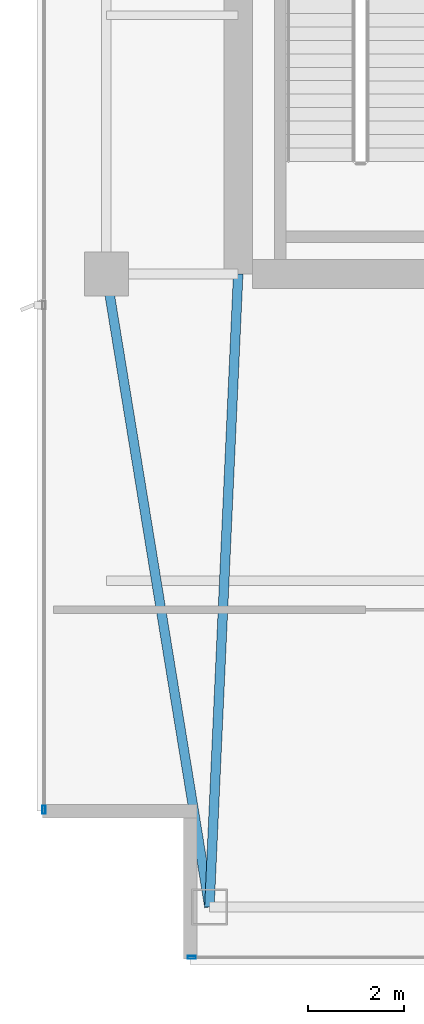
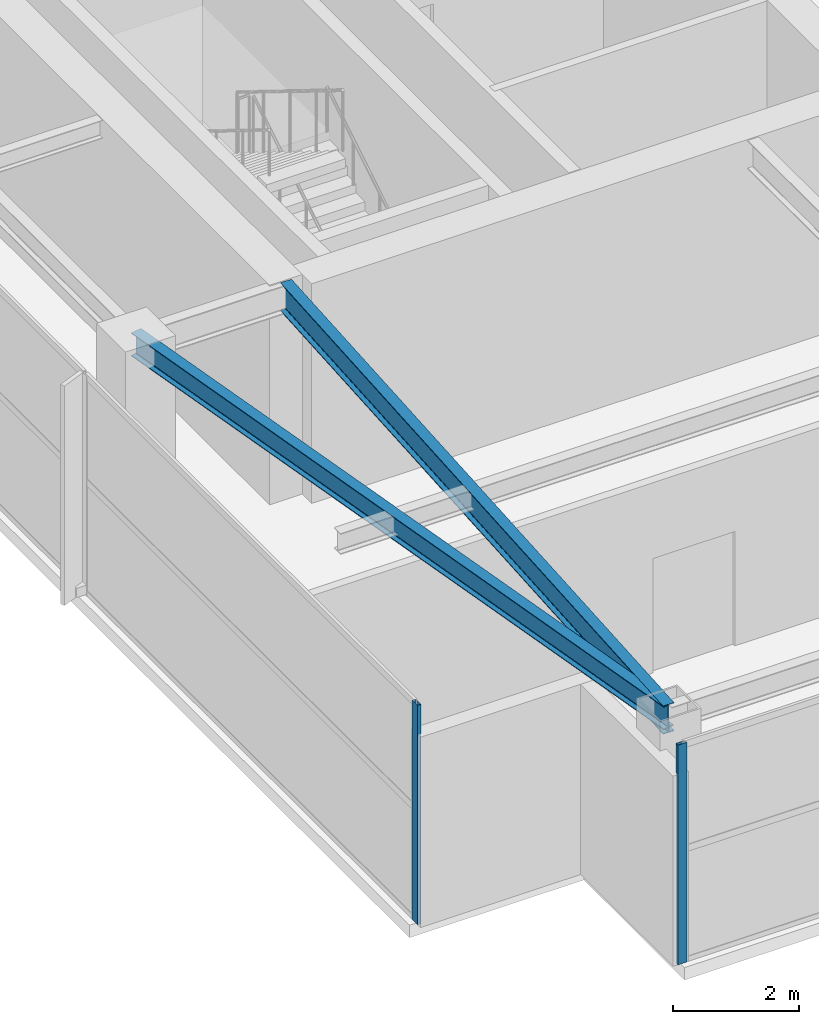
# One storey, part 2 of 25: 2 beams, 2 members, 2 elements without a shape of their own.
"""IFC4 building model written with IfcOpenShell, lengths in metres."""

from ifc_helpers import new_model, si_unit, direction, frame, origin, origin_2d, place, context, subcontext, project, spatial, hollow_rectangle, i_section, extrude, material, layer, layer_set, material_profile, profile_set, type_object, element, aggregate, save


model = new_model("IFC4")

# Units and contexts
model_context = context("Model", 3, precision=1e-05, world=origin(), true_north=direction((0.0, 1.0)))
body_context = subcontext(model_context, "Body", "Model", "MODEL_VIEW")
ifc_project = project(units=[si_unit("LENGTHUNIT", "METRE"), si_unit("AREAUNIT", "SQUARE_METRE"), si_unit("VOLUMEUNIT", "CUBIC_METRE"), si_unit("PLANEANGLEUNIT", "RADIAN"), si_unit("MASSUNIT", "GRAM", prefix="KILO")], contexts=[model_context])

# Site, building, storey
site_placement = place(None, origin())
site = spatial("IfcSite", under=ifc_project, at=site_placement, CompositionType="ELEMENT")
building_placement = place(site_placement, origin())
building = spatial("IfcBuilding", under=site, at=building_placement, Name="Calvorn Quay Hotel", CompositionType="ELEMENT")
storey_placement = place(building_placement, frame((0.0, 0.0, 311.5)))
storey = spatial("IfcBuildingStorey", under=building, at=storey_placement, Name="L77", CompositionType="ELEMENT", Elevation=311.5)

# Beams
ifc_material_1 = material(Name="Steel Q355B", Category="steel")
ifc_material_profile_1 = material_profile(ifc_material_1, i_section(OverallWidth=0.199951171875, OverallDepth=0.550048828125, WebThickness=0.010009765625, FlangeThickness=0.01611328125, FilletRadius=0.01806640625, at=origin_2d()), Name="HN550x200x10x16")
ifc_profile_set_1 = profile_set([ifc_material_profile_1], Name="Steel Q355B")
beam_type_1 = type_object("IfcBeamType", Name="BM-GIRD-UPP", PredefinedType="BEAM", material=ifc_profile_set_1)
beam_1_placement = place(storey_placement, frame((3.60009765625, 3.60009765625, 3.965087890625), z_axis=(0.045396765494, 0.998969035397, 0.0), x_axis=(-0.998969035397, 0.045396765494, 0.0)))
element("IfcBeam", 1, at=beam_1_placement, inside=storey, type_object=beam_type_1, Name="Beam BG-L77-W0", PredefinedType="BEAM", context=body_context, shape_type="SweptSolid", body=[
    extrude(i_section(OverallWidth=0.199951171875, OverallDepth=0.550048828125, WebThickness=0.010009765625, FlangeThickness=0.01611328125, FilletRadius=0.01806640625, at=origin_2d()), origin(), (0.0, 0.0, 1.0), 13.213623046875),
])
ifc_material_2 = material(Name="Steel Q355B", Category="steel")
ifc_material_profile_2 = material_profile(ifc_material_2, i_section(OverallWidth=0.199951171875, OverallDepth=0.449951171875, WebThickness=0.009033203125, FlangeThickness=0.013916015625, FilletRadius=0.01611328125, at=origin_2d()), Name="HN450x200x9x14")
ifc_profile_set_2 = profile_set([ifc_material_profile_2], Name="Steel Q355B")
beam_type_2 = type_object("IfcBeamType", Name="BM-SPANDREL-Z3", PredefinedType="SPANDREL", material=ifc_profile_set_2)
beam_2_placement = place(storey_placement, frame((3.60009765625, 3.60009765625, 4.014892578125), z_axis=(-0.16077155054, 0.986991645627, 0.0), x_axis=(-0.986991645627, -0.16077155054, 0.0)))
element("IfcBeam", 2, at=beam_2_placement, inside=storey, type_object=beam_type_2, Name="Beam BSP-L77-W1", PredefinedType="SPANDREL", context=body_context, shape_type="SweptSolid", body=[
    extrude(i_section(OverallWidth=0.199951171875, OverallDepth=0.449951171875, WebThickness=0.009033203125, FlangeThickness=0.013916015625, FilletRadius=0.01611328125, at=origin_2d()), origin(), (0.0, 0.0, 1.0), 13.3740234375),
])

# Curtain wall, member
ifc_material_3 = material(Name="Champagne Bronze Anodised Aluminium and Low-E Glass", Category="aluminium")
ifc_layer = layer(ifc_material_3, 0.219970703125)
ifc_layer_set = layer_set([ifc_layer], Name="CW-SYS-Z4")
curtain_wall_type = type_object("IfcCurtainWallType", Name="CW-SYS-Z4", PredefinedType="NOTDEFINED", material=ifc_layer_set)
curtain_wall_1_placement = place(storey_placement, origin())
curtain_wall_1 = element("IfcCurtainWall", 3, at=curtain_wall_1_placement, inside=storey, type_object=curtain_wall_type, Name="Tower West Curtain Wall (L77)", PredefinedType="NOTDEFINED")
ifc_material_4 = material(Name="Champagne Bronze Anodised Aluminium 6063-T6", Category="aluminium")
ifc_material_profile_3 = material_profile(ifc_material_4, hollow_rectangle(XDim=0.06494140625, YDim=0.169921875, WallThickness=0.00341796875, at=origin_2d()), Name="ALU-M170x65x3.5")
ifc_profile_set_3 = profile_set([ifc_material_profile_3], Name="Champagne Bronze Anodised Aluminium 6063-T6")
member_type = type_object("IfcMemberType", Name="CW-SYS-Z4-MUL", PredefinedType="MULLION", material=ifc_profile_set_3)
member_1_placement = place(storey_placement, frame((0.14990234375, 5.6298828125, 0.0), z_axis=(0.0, 0.0, 1.0), x_axis=(-1.0, 0.0, 0.0)))
member_1 = element("IfcMember", 4, at=member_1_placement, type_object=member_type, Name="CW-L77-W mullion 1", PredefinedType="MULLION", context=body_context, shape_type="SweptSolid", body=[
    extrude(hollow_rectangle(XDim=0.06494140625, YDim=0.169921875, WallThickness=0.00341796875, at=origin_2d()), origin(), (0.0, 0.0, 1.0), 4.260009765625),
])
aggregate(curtain_wall_1, [member_1])

curtain_wall_2_placement = place(storey_placement, origin())
curtain_wall_2 = element("IfcCurtainWall", 5, at=curtain_wall_2_placement, inside=storey, type_object=curtain_wall_type, Name="Tower South Waterfront Curtain Wall (L77)", PredefinedType="NOTDEFINED")
member_2_placement = place(storey_placement, frame((3.22998046875, 2.550048828125, 0.0), z_axis=(0.0, 0.0, 1.0), x_axis=(0.0, 1.0, 0.0)))
member_2 = element("IfcMember", 6, at=member_2_placement, type_object=member_type, Name="CW-L77-S mullion 1", PredefinedType="MULLION", context=body_context, shape_type="SweptSolid", body=[
    extrude(hollow_rectangle(XDim=0.06494140625, YDim=0.169921875, WallThickness=0.00341796875, at=origin_2d()), origin(), (0.0, 0.0, 1.0), 4.260009765625),
])
aggregate(curtain_wall_2, [member_2])

save(model, "model.ifc")
